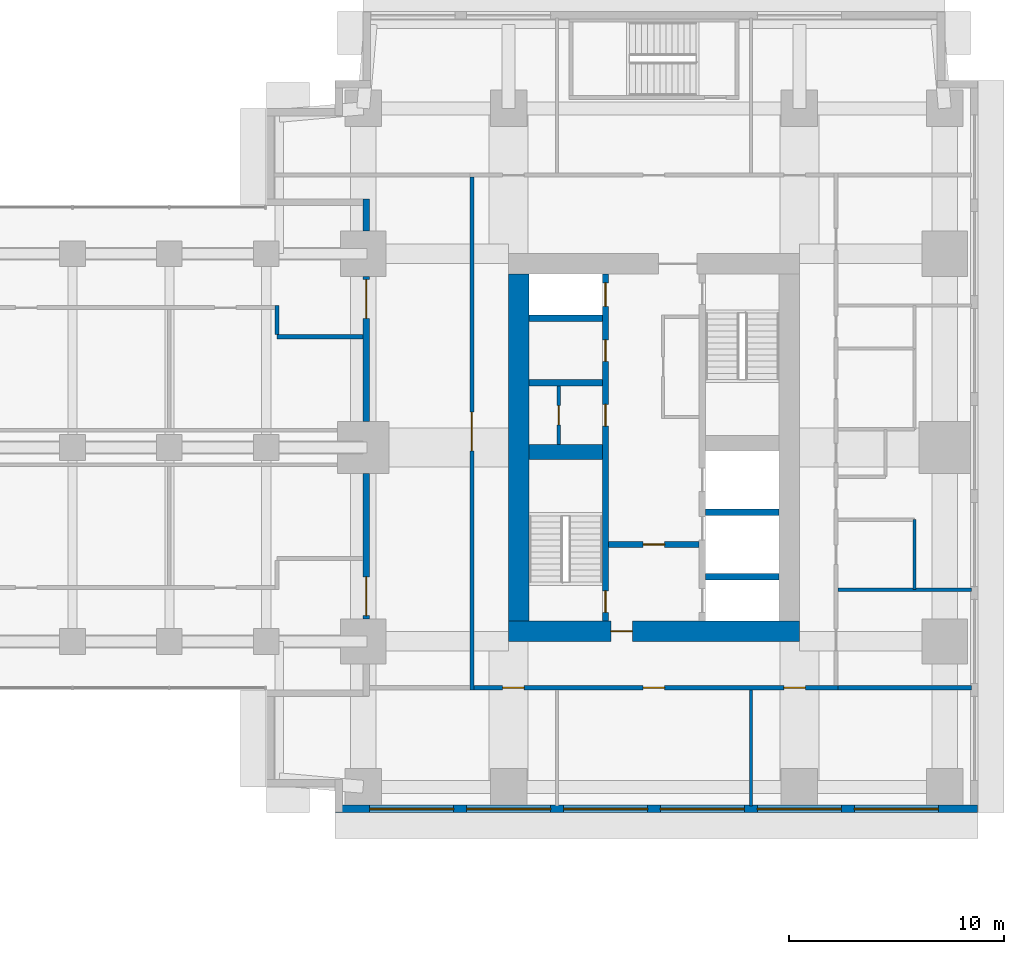
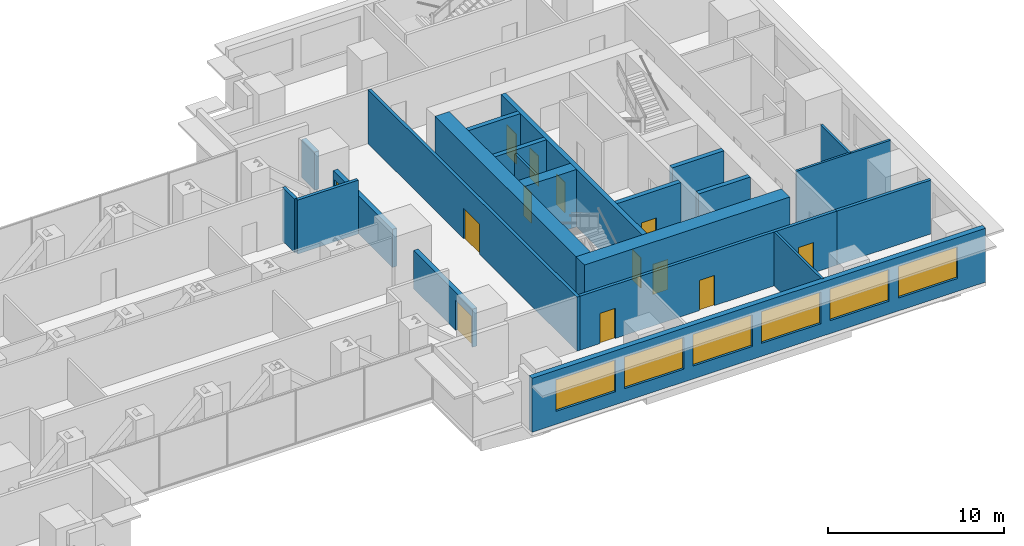
# One storey, part 10 of 16: 22 walls, 13 doors, 6 windows, 19 openings.
"""IFC4 building model written with IfcOpenShell, lengths in metres."""

from ifc_helpers import new_model, si_unit, direction, frame, frame_2d, origin, place, context, subcontext, project, spatial, rectangle, extrude, material, layer, layer_set, type_object, element, fill, save


model = new_model("IFC4")

# Units and contexts
model_context = context("Model", 3, precision=1e-05, world=origin(), true_north=direction((0.0, 1.0)))
body_context = subcontext(model_context, "Body", "Model", "MODEL_VIEW")
ifc_project = project(units=[si_unit("LENGTHUNIT", "METRE"), si_unit("AREAUNIT", "SQUARE_METRE"), si_unit("VOLUMEUNIT", "CUBIC_METRE"), si_unit("PLANEANGLEUNIT", "RADIAN"), si_unit("MASSUNIT", "GRAM", prefix="KILO")], contexts=[model_context])

# Site, building, storey
site_placement = place(None, origin())
site = spatial("IfcSite", under=ifc_project, at=site_placement, CompositionType="ELEMENT")
building_placement = place(site_placement, origin())
building = spatial("IfcBuilding", under=site, at=building_placement, Name="Namib Vertical Campus", CompositionType="ELEMENT")
storey_placement = place(building_placement, frame((0.0, 0.0, 113.0)))
storey = spatial("IfcBuildingStorey", under=building, at=storey_placement, Name="L26", CompositionType="ELEMENT", Elevation=113.0)

# Wall, openings, doors
ifc_material_1 = material(Name="Concrete C60/75", Category="concrete")
ifc_layer_1 = layer(ifc_material_1, 0.300048828125)
ifc_layer_set_1 = layer_set([ifc_layer_1], Name="Concrete C60/75")
wall_type_1 = type_object("IfcWallType", Name="Core inner wall 300", PredefinedType="SHEAR", material=ifc_layer_set_1)
wall_1_placement = place(storey_placement, frame((78.75, 12.199951171875, 0.0), z_axis=(0.0, 0.0, 1.0), x_axis=(0.0, 1.0, 0.0)))
wall_1 = element("IfcWall", 1, at=wall_1_placement, inside=storey, type_object=wall_type_1, Name="Core inner wall B L26 W1", PredefinedType="SHEAR", context=body_context, shape_type="SweptSolid", body=[
    extrude(rectangle(XDim=16.10009765625, YDim=0.300048828125, at=frame_2d((8.050048828125, 0.0))), origin(), (0.0, 0.0, 1.0), 4.0),
])
opening_1_placement = place(wall_1_placement, frame((0.39990234375, 0.0, 0.0)))
opening_1 = element("IfcOpeningElement", 2, at=opening_1_placement, cuts=wall_1, Name="Opening FD1", PredefinedType="OPENING", context=body_context, shape_type="SweptSolid", body=[
    extrude(rectangle(XDim=1.0, YDim=2.10009765625, at=frame_2d((0.5, 1.050048828125))), frame((0.0, 0.159912109375, 0.0), z_axis=(0.0, -1.0, 0.0), x_axis=(1.0, 0.0, 0.0)), (0.0, 0.0, 1.0), 0.320068359375),
])
opening_2_placement = place(wall_1_placement, frame((14.60009765625, 0.0, 0.0)))
opening_2 = element("IfcOpeningElement", 3, at=opening_2_placement, cuts=wall_1, Name="Opening LD1", PredefinedType="OPENING", context=body_context, shape_type="SweptSolid", body=[
    extrude(rectangle(XDim=1.10009765625, YDim=2.10009765625, at=frame_2d((0.550048828125, 1.050048828125))), frame((0.0, 0.159912109375, 0.0), z_axis=(0.0, -1.0, 0.0), x_axis=(1.0, 0.0, 0.0)), (0.0, 0.0, 1.0), 0.320068359375),
])
opening_3_placement = place(wall_1_placement, frame((9.050048828125, 0.0, 0.0)))
opening_3 = element("IfcOpeningElement", 4, at=opening_3_placement, cuts=wall_1, Name="Opening D1", PredefinedType="OPENING", context=body_context, shape_type="SweptSolid", body=[
    extrude(rectangle(XDim=1.0, YDim=2.10009765625, at=frame_2d((0.5, 1.050048828125))), frame((0.0, 0.159912109375, 0.0), z_axis=(0.0, -1.0, 0.0), x_axis=(1.0, 0.0, 0.0)), (0.0, 0.0, 1.0), 0.320068359375),
])
opening_4_placement = place(wall_1_placement, frame((12.050048828125, 0.0, 0.0)))
opening_4 = element("IfcOpeningElement", 5, at=opening_4_placement, cuts=wall_1, Name="Opening D1", PredefinedType="OPENING", context=body_context, shape_type="SweptSolid", body=[
    extrude(rectangle(XDim=1.0, YDim=2.10009765625, at=frame_2d((0.5, 1.050048828125))), frame((0.0, 0.159912109375, 0.0), z_axis=(0.0, -1.0, 0.0), x_axis=(1.0, 0.0, 0.0)), (0.0, 0.0, 1.0), 0.320068359375),
])
ifc_material_2 = material(Name="Timber door leaf", Category="wood")
door_type_1 = type_object("IfcDoorType", Name="Door single 1000x2100", OperationType="SINGLE_SWING_LEFT", PredefinedType="DOOR", material=ifc_material_2)
door_1_placement = place(opening_3_placement, origin())
door_1 = element("IfcDoor", 6, at=door_1_placement, inside=storey, type_object=door_type_1, Name="Door D1 Store B L26 P1", OperationType="SINGLE_SWING_LEFT", OverallHeight=2.10009765625, OverallWidth=1.0, PredefinedType="DOOR", context=body_context, shape_type="SweptSolid", body=[
    extrude(rectangle(XDim=1.0, YDim=2.10009765625, at=frame_2d((0.5, 1.050048828125))), frame((0.0, 0.02490234375, 0.0), z_axis=(0.0, -1.0, 0.0), x_axis=(1.0, 0.0, 0.0)), (0.0, 0.0, 1.0), 0.050048828125),
])
fill(opening_3, door_1)
door_2_placement = place(opening_4_placement, origin())
door_2 = element("IfcDoor", 7, at=door_2_placement, inside=storey, type_object=door_type_1, Name="Door D1 Cleaners' store B L26 P2", OperationType="SINGLE_SWING_LEFT", OverallHeight=2.10009765625, OverallWidth=1.0, PredefinedType="DOOR", context=body_context, shape_type="SweptSolid", body=[
    extrude(rectangle(XDim=1.0, YDim=2.10009765625, at=frame_2d((0.5, 1.050048828125))), frame((0.0, 0.02490234375, 0.0), z_axis=(0.0, -1.0, 0.0), x_axis=(1.0, 0.0, 0.0)), (0.0, 0.0, 1.0), 0.050048828125),
])
fill(opening_4, door_2)
ifc_material_3 = material(Name="Steel fire door", Category="steel")
door_type_2 = type_object("IfcDoorType", Name="Fire door 1000x2100", OperationType="SINGLE_SWING_RIGHT", PredefinedType="DOOR", material=ifc_material_3)
door_3_placement = place(opening_1_placement, origin())
door_3 = element("IfcDoor", 8, at=door_3_placement, inside=storey, type_object=door_type_2, Name="Stair door FD1 B L26 S1", OperationType="SINGLE_SWING_LEFT", OverallHeight=2.10009765625, OverallWidth=1.0, PredefinedType="DOOR", context=body_context, shape_type="SweptSolid", body=[
    extrude(rectangle(XDim=1.0, YDim=2.10009765625, at=frame_2d((0.5, 1.050048828125))), frame((0.0, 0.02490234375, 0.0), z_axis=(0.0, -1.0, 0.0), x_axis=(1.0, 0.0, 0.0)), (0.0, 0.0, 1.0), 0.050048828125),
])
fill(opening_1, door_3)
ifc_material_4 = material(Name="Stainless steel lift door", Category="steel")
door_type_3 = type_object("IfcDoorType", Name="Lift landing door 1100x2100", OperationType="DOUBLE_DOOR_SLIDING", PredefinedType="DOOR", material=ifc_material_4)
door_4_placement = place(opening_2_placement, origin())
door_4 = element("IfcDoor", 9, at=door_4_placement, inside=storey, type_object=door_type_3, Name="Lift landing door LD1 B-P3 L26", OperationType="DOUBLE_DOOR_SLIDING", OverallHeight=2.10009765625, OverallWidth=1.10009765625, PredefinedType="DOOR", context=body_context, shape_type="SweptSolid", body=[
    extrude(rectangle(XDim=1.10009765625, YDim=2.10009765625, at=frame_2d((0.550048828125, 1.050048828125))), frame((0.0, 0.02490234375, 0.0), z_axis=(0.0, -1.0, 0.0), x_axis=(1.0, 0.0, 0.0)), (0.0, 0.0, 1.0), 0.050048828125),
])
fill(opening_2, door_4)

# Wall, opening, door
wall_2_placement = place(storey_placement, frame((78.89990234375, 15.75, 0.0), z_axis=(0.0, 0.0, 1.0), x_axis=(1.0, 0.0, 0.0)))
wall_2 = element("IfcWall", 10, at=wall_2_placement, inside=storey, type_object=wall_type_1, Name="Core inner wall B L26 W4", PredefinedType="SHEAR", context=body_context, shape_type="SweptSolid", body=[
    extrude(rectangle(XDim=4.2001953125, YDim=0.300048828125, at=frame_2d((2.10009765625, 0.0))), origin(), (0.0, 0.0, 1.0), 4.0),
])
opening_5_placement = place(wall_2_placement, frame((1.60009765625, 0.0, 0.0)))
opening_5 = element("IfcOpeningElement", 11, at=opening_5_placement, cuts=wall_2, Name="Opening FD5", PredefinedType="OPENING", context=body_context, shape_type="SweptSolid", body=[
    extrude(rectangle(XDim=1.0, YDim=2.10009765625, at=frame_2d((0.5, 1.050048828125))), frame((0.0, 0.159912109375, 0.0), z_axis=(0.0, -1.0, 0.0), x_axis=(1.0, 0.0, 0.0)), (0.0, 0.0, 1.0), 0.320068359375),
])
ifc_material_5 = material(Name="Steel fire door", Category="steel")
door_type_4 = type_object("IfcDoorType", Name="Fire door 1000x2100 120 min", OperationType="SINGLE_SWING_RIGHT", PredefinedType="DOOR", material=ifc_material_5)
door_5_placement = place(opening_5_placement, frame((1.0, 0.0, 0.0), z_axis=(0.0, 0.0, 1.0), x_axis=(-1.0, 0.0, 0.0)))
door_5 = element("IfcDoor", 12, at=door_5_placement, inside=storey, type_object=door_type_4, Name="Lobby door FD5 B L26", OperationType="SINGLE_SWING_RIGHT", OverallHeight=2.10009765625, OverallWidth=1.0, PredefinedType="DOOR", context=body_context, shape_type="SweptSolid", body=[
    extrude(rectangle(XDim=1.0, YDim=2.10009765625, at=frame_2d((0.5, 1.050048828125))), frame((0.0, 0.02490234375, 0.0), z_axis=(0.0, -1.0, 0.0), x_axis=(1.0, 0.0, 0.0)), (0.0, 0.0, 1.0), 0.050048828125),
])
fill(opening_5, door_5)

# Walls
for number, where, z_axis, x_axis, name in (
    (13, (83.39990234375, 14.25, 0.0), (0.0, 0.0, 1.0), (1.0, 0.0, 0.0), "Core inner wall B L26 W5"),
    (14, (83.39990234375, 17.25, 0.0), (0.0, 0.0, 1.0), (1.0, 0.0, 0.0), "Core inner wall B L26 W6"),
    (15, (75.199951171875, 23.25, 0.0), (0.0, 0.0, 1.0), (1.0, 0.0, 0.0), "Core inner wall B L26 W8"),
    (16, (75.199951171875, 26.25, 0.0), (0.0, 0.0, 1.0), (1.0, 0.0, 0.0), "Core inner wall B L26 W9"),
):
    element("IfcWall", number, at=place(storey_placement, frame(where, z_axis=z_axis, x_axis=x_axis)), inside=storey, type_object=wall_type_1, Name=name, PredefinedType="SHEAR", context=body_context, shape_type="SweptSolid", body=[
        extrude(rectangle(XDim=3.400146484375, YDim=0.300048828125, at=frame_2d((1.7001953125, 0.0))), origin(), (0.0, 0.0, 1.0), 4.0),
    ])
ifc_material_6 = material(Name="Concrete C60/75", Category="concrete")
ifc_layer_2 = layer(ifc_material_6, 0.699951171875)
ifc_layer_set_2 = layer_set([ifc_layer_2], Name="Concrete C60/75")
wall_type_2 = type_object("IfcWallType", Name="Core shear wall 700", PredefinedType="SHEAR", material=ifc_layer_set_2)
wall_3_placement = place(storey_placement, frame((75.199951171875, 20.050048828125, 0.0), z_axis=(0.0, 0.0, 1.0), x_axis=(1.0, 0.0, 0.0)))
element("IfcWall", 17, at=wall_3_placement, inside=storey, type_object=wall_type_2, Name="Core shear wall B L26 W3", PredefinedType="SHEAR", context=body_context, shape_type="SweptSolid", body=[
    extrude(rectangle(XDim=3.400146484375, YDim=0.699951171875, at=frame_2d((1.7001953125, 0.0))), origin(), (0.0, 0.0, 1.0), 4.0),
])

# Wall, opening, door
ifc_material_7 = material(Name="Concrete C60/75", Category="concrete")
ifc_layer_3 = layer(ifc_material_7, 0.949951171875)
ifc_layer_set_3 = layer_set([ifc_layer_3], Name="Concrete C60/75")
wall_type_3 = type_object("IfcWallType", Name="Core wall 950", PredefinedType="SHEAR", material=ifc_layer_set_3)
wall_4_placement = place(storey_placement, frame((74.25, 11.72509765625, 0.0), z_axis=(0.0, 0.0, 1.0), x_axis=(1.0, 0.0, 0.0)))
wall_4 = element("IfcWall", 18, at=wall_4_placement, inside=storey, type_object=wall_type_3, Name="Core wall B L26 1", PredefinedType="SHEAR", context=body_context, shape_type="SweptSolid", body=[
    extrude(rectangle(XDim=13.5, YDim=0.949951171875, at=frame_2d((6.75, 0.0))), origin(), (0.0, 0.0, 1.0), 4.0),
])
opening_6_placement = place(wall_4_placement, frame((4.75, 0.0, 0.0)))
opening_6 = element("IfcOpeningElement", 19, at=opening_6_placement, cuts=wall_4, Name="Opening FD5", PredefinedType="OPENING", context=body_context, shape_type="SweptSolid", body=[
    extrude(rectangle(XDim=1.0, YDim=2.10009765625, at=frame_2d((0.5, 1.050048828125))), frame((0.0, 0.48486328125, 0.0), z_axis=(0.0, -1.0, 0.0), x_axis=(1.0, 0.0, 0.0)), (0.0, 0.0, 1.0), 0.969970703125),
])
door_6_placement = place(opening_6_placement, origin())
door_6 = element("IfcDoor", 20, at=door_6_placement, inside=storey, type_object=door_type_4, Name="Firefighting lobby door FD5 B L26", OperationType="SINGLE_SWING_LEFT", OverallHeight=2.10009765625, OverallWidth=1.0, PredefinedType="DOOR", context=body_context, shape_type="SweptSolid", body=[
    extrude(rectangle(XDim=1.0, YDim=2.10009765625, at=frame_2d((0.5, 1.050048828125))), frame((0.0, 0.02490234375, 0.0), z_axis=(0.0, -1.0, 0.0), x_axis=(1.0, 0.0, 0.0)), (0.0, 0.0, 1.0), 0.050048828125),
])
fill(opening_6, door_6)

# Wall
wall_5_placement = place(storey_placement, frame((74.72509765625, 28.300048828125, 0.0), z_axis=(0.0, 0.0, 1.0), x_axis=(0.0, -1.0, 0.0)))
element("IfcWall", 21, at=wall_5_placement, inside=storey, type_object=wall_type_3, Name="Core wall B L26 4", PredefinedType="SHEAR", context=body_context, shape_type="SweptSolid", body=[
    extrude(rectangle(XDim=16.10009765625, YDim=0.949951171875, at=frame_2d((8.050048828125, 0.0))), origin(), (0.0, 0.0, 1.0), 4.0),
])

# Wall, openings, doors
ifc_material_8 = material(Name="Concrete masonry", Category="masonry")
ifc_layer_4 = layer(ifc_material_8, 0.199951171875)
ifc_layer_set_4 = layer_set([ifc_layer_4], Name="Corridor wall 200")
wall_type_4 = type_object("IfcWallType", Name="Corridor wall 200", PredefinedType="SOLIDWALL", material=ifc_layer_set_4)
wall_6_placement = place(storey_placement, frame((72.64990234375, 9.10009765625, 0.0), z_axis=(0.0, 0.0, 1.0), x_axis=(1.0, 0.0, 0.0)))
wall_6 = element("IfcWall", 22, at=wall_6_placement, inside=storey, type_object=wall_type_4, Name="Corridor wall B L26 CS", PredefinedType="SOLIDWALL", context=body_context, shape_type="SweptSolid", body=[
    extrude(rectangle(XDim=16.900146484375, YDim=0.199951171875, at=frame_2d((8.4501953125, 0.0))), origin(), (0.0, 0.0, 1.0), 3.75),
])
opening_7_placement = place(wall_6_placement, frame((1.324951171875, 0.0, 0.0)))
opening_7 = element("IfcOpeningElement", 23, at=opening_7_placement, cuts=wall_6, Name="Opening CD1", PredefinedType="OPENING", context=body_context, shape_type="SweptSolid", body=[
    extrude(rectangle(XDim=1.0, YDim=2.10009765625, at=frame_2d((0.5, 1.050048828125))), frame((0.0, 0.10986328125, 0.0), z_axis=(0.0, -1.0, 0.0), x_axis=(1.0, 0.0, 0.0)), (0.0, 0.0, 1.0), 0.219970703125),
])
opening_8_placement = place(wall_6_placement, frame((7.85009765625, 0.0, 0.0)))
opening_8 = element("IfcOpeningElement", 24, at=opening_8_placement, cuts=wall_6, Name="Opening CD1", PredefinedType="OPENING", context=body_context, shape_type="SweptSolid", body=[
    extrude(rectangle(XDim=1.0, YDim=2.10009765625, at=frame_2d((0.5, 1.050048828125))), frame((0.0, 0.10986328125, 0.0), z_axis=(0.0, -1.0, 0.0), x_axis=(1.0, 0.0, 0.0)), (0.0, 0.0, 1.0), 0.219970703125),
])
opening_9_placement = place(wall_6_placement, frame((14.375, 0.0, 0.0)))
opening_9 = element("IfcOpeningElement", 25, at=opening_9_placement, cuts=wall_6, Name="Opening CD1", PredefinedType="OPENING", context=body_context, shape_type="SweptSolid", body=[
    extrude(rectangle(XDim=1.0, YDim=2.10009765625, at=frame_2d((0.5, 1.050048828125))), frame((0.0, 0.10986328125, 0.0), z_axis=(0.0, -1.0, 0.0), x_axis=(1.0, 0.0, 0.0)), (0.0, 0.0, 1.0), 0.219970703125),
])
ifc_material_9 = material(Name="Timber fire door leaf", Category="wood")
door_type_5 = type_object("IfcDoorType", Name="Corridor door 1000x2100 20 min", OperationType="SINGLE_SWING_LEFT", PredefinedType="DOOR", material=ifc_material_9)
door_7_placement = place(opening_7_placement, frame((1.0, 0.0, 0.0), z_axis=(0.0, 0.0, 1.0), x_axis=(-1.0, 0.0, 0.0)))
door_7 = element("IfcDoor", 26, at=door_7_placement, inside=storey, type_object=door_type_5, Name="Door CD1 B26-01", OperationType="SINGLE_SWING_LEFT", OverallHeight=2.10009765625, OverallWidth=1.0, PredefinedType="DOOR", context=body_context, shape_type="SweptSolid", body=[
    extrude(rectangle(XDim=1.0, YDim=2.10009765625, at=frame_2d((0.5, 1.050048828125))), frame((0.0, 0.02490234375, 0.0), z_axis=(0.0, -1.0, 0.0), x_axis=(1.0, 0.0, 0.0)), (0.0, 0.0, 1.0), 0.050048828125),
])
fill(opening_7, door_7)
door_8_placement = place(opening_8_placement, frame((1.0, 0.0, 0.0), z_axis=(0.0, 0.0, 1.0), x_axis=(-1.0, 0.0, 0.0)))
door_8 = element("IfcDoor", 27, at=door_8_placement, inside=storey, type_object=door_type_5, Name="Door CD1 B26-02", OperationType="SINGLE_SWING_RIGHT", OverallHeight=2.10009765625, OverallWidth=1.0, PredefinedType="DOOR", context=body_context, shape_type="SweptSolid", body=[
    extrude(rectangle(XDim=1.0, YDim=2.10009765625, at=frame_2d((0.5, 1.050048828125))), frame((0.0, 0.02490234375, 0.0), z_axis=(0.0, -1.0, 0.0), x_axis=(1.0, 0.0, 0.0)), (0.0, 0.0, 1.0), 0.050048828125),
])
fill(opening_8, door_8)
door_9_placement = place(opening_9_placement, frame((1.0, 0.0, 0.0), z_axis=(0.0, 0.0, 1.0), x_axis=(-1.0, 0.0, 0.0)))
door_9 = element("IfcDoor", 28, at=door_9_placement, inside=storey, type_object=door_type_5, Name="Door CD1 B26-03", OperationType="SINGLE_SWING_RIGHT", OverallHeight=2.10009765625, OverallWidth=1.0, PredefinedType="DOOR", context=body_context, shape_type="SweptSolid", body=[
    extrude(rectangle(XDim=1.0, YDim=2.10009765625, at=frame_2d((0.5, 1.050048828125))), frame((0.0, 0.02490234375, 0.0), z_axis=(0.0, -1.0, 0.0), x_axis=(1.0, 0.0, 0.0)), (0.0, 0.0, 1.0), 0.050048828125),
])
fill(opening_9, door_9)

# Wall, opening, door
wall_7_placement = place(storey_placement, frame((72.550048828125, 32.800048828125, 0.0), z_axis=(0.0, 0.0, 1.0), x_axis=(0.0, -1.0, 0.0)))
wall_7 = element("IfcWall", 29, at=wall_7_placement, inside=storey, type_object=wall_type_4, Name="Corridor wall B L26 CW", PredefinedType="SOLIDWALL", context=body_context, shape_type="SweptSolid", body=[
    extrude(rectangle(XDim=23.800048828125, YDim=0.199951171875, at=frame_2d((11.89990234375, 0.0))), origin(), (0.0, 0.0, 1.0), 3.75),
])
opening_10_placement = place(wall_7_placement, frame((10.89990234375, 0.0, 0.0)))
opening_10 = element("IfcOpeningElement", 30, at=opening_10_placement, cuts=wall_7, Name="Opening FD2", PredefinedType="OPENING", context=body_context, shape_type="SweptSolid", body=[
    extrude(rectangle(XDim=1.800048828125, YDim=2.10009765625, at=frame_2d((0.89990234375, 1.050048828125))), frame((0.0, 0.10986328125, 0.0), z_axis=(0.0, -1.0, 0.0), x_axis=(1.0, 0.0, 0.0)), (0.0, 0.0, 1.0), 0.219970703125),
])
ifc_material_10 = material(Name="Steel fire door", Category="steel")
door_type_6 = type_object("IfcDoorType", Name="Fire door double 1800x2100", OperationType="DOUBLE_DOOR_SINGLE_SWING", PredefinedType="DOOR", material=ifc_material_10)
door_10_placement = place(opening_10_placement, origin())
door_10 = element("IfcDoor", 31, at=door_10_placement, inside=storey, type_object=door_type_6, Name="Door FD2 B26-14", OperationType="DOUBLE_DOOR_SINGLE_SWING", OverallHeight=2.10009765625, OverallWidth=1.800048828125, PredefinedType="DOOR", context=body_context, shape_type="SweptSolid", body=[
    extrude(rectangle(XDim=1.800048828125, YDim=2.10009765625, at=frame_2d((0.89990234375, 1.050048828125))), frame((0.0, 0.02490234375, 0.0), z_axis=(0.0, -1.0, 0.0), x_axis=(1.0, 0.0, 0.0)), (0.0, 0.0, 1.0), 0.050048828125),
])
fill(opening_10, door_10)

# Walls
wall_8_placement = place(storey_placement, frame((89.550048828125, 9.10009765625, 0.0), z_axis=(0.0, 0.0, 1.0), x_axis=(1.0, 0.0, 0.0)))
element("IfcWall", 32, at=wall_8_placement, inside=storey, type_object=wall_type_4, Name="Partition B L26 BSE", PredefinedType="SOLIDWALL", context=body_context, shape_type="SweptSolid", body=[
    extrude(rectangle(XDim=6.199951171875, YDim=0.199951171875, at=frame_2d((3.10009765625, 0.0))), origin(), (0.0, 0.0, 1.0), 3.75),
])
wall_9_placement = place(storey_placement, frame((63.5, 25.39990234375, 0.0), z_axis=(0.0, 0.0, 1.0), x_axis=(1.0, 0.0, 0.0)))
element("IfcWall", 33, at=wall_9_placement, inside=storey, type_object=wall_type_4, Name="Lobby wall L26 NE", PredefinedType="SOLIDWALL", context=body_context, shape_type="SweptSolid", body=[
    extrude(rectangle(XDim=4.0, YDim=0.199951171875, at=frame_2d((2.0, 0.0))), origin(), (0.0, 0.0, 1.0), 3.75),
])
wall_10_placement = place(storey_placement, frame((63.5, 26.85009765625, 0.0), z_axis=(0.0, 0.0, 1.0), x_axis=(0.0, -1.0, 0.0)))
element("IfcWall", 34, at=wall_10_placement, inside=storey, type_object=wall_type_4, Name="Lobby side wall L26 NE", PredefinedType="SOLIDWALL", context=body_context, shape_type="SweptSolid", body=[
    extrude(rectangle(XDim=1.35009765625, YDim=0.199951171875, at=frame_2d((0.675048828125, 0.0))), origin(), (0.0, 0.0, 1.0), 3.75),
])

# Wall, openings, windows
ifc_material_11 = material(Name="Concrete C40/50", Category="concrete")
ifc_layer_5 = layer(ifc_material_11, 0.35009765625)
ifc_layer_set_5 = layer_set([ifc_layer_5], Name="Concrete C40/50")
wall_type_5 = type_object("IfcWallType", Name="External wall 350 bush-hammered concrete", PredefinedType="STANDARD", material=ifc_layer_set_5)
wall_11_placement = place(storey_placement, frame((66.219970703125, 3.47509765625, 0.0), z_axis=(0.0, 0.0, 1.0), x_axis=(1.0, 0.0, 0.0)))
wall_11 = element("IfcWall", 35, at=wall_11_placement, inside=storey, type_object=wall_type_5, Name="External wall L26 F04", PredefinedType="STANDARD", context=body_context, shape_type="SweptSolid", body=[
    extrude(rectangle(XDim=29.81005859375, YDim=0.35009765625, at=frame_2d((14.905029296875, 0.0))), origin(), (0.0, 0.0, 1.0), 3.75),
])
opening_11_placement = place(wall_11_placement, frame((1.580078125, 0.0, 0.89990234375)))
opening_11 = element("IfcOpeningElement", 36, at=opening_11_placement, cuts=wall_11, Name="Opening W1", PredefinedType="OPENING", context=body_context, shape_type="SweptSolid", body=[
    extrude(rectangle(XDim=3.89990234375, YDim=2.199951171875, at=frame_2d((1.949951171875, 1.10009765625))), frame((0.0, 0.18505859375, 0.0), z_axis=(0.0, -1.0, 0.0), x_axis=(1.0, 0.0, 0.0)), (0.0, 0.0, 1.0), 0.3701171875),
])
opening_12_placement = place(wall_11_placement, frame((6.080078125, 0.0, 0.89990234375)))
opening_12 = element("IfcOpeningElement", 37, at=opening_12_placement, cuts=wall_11, Name="Opening W1", PredefinedType="OPENING", context=body_context, shape_type="SweptSolid", body=[
    extrude(rectangle(XDim=3.89990234375, YDim=2.199951171875, at=frame_2d((1.949951171875, 1.10009765625))), frame((0.0, 0.18505859375, 0.0), z_axis=(0.0, -1.0, 0.0), x_axis=(1.0, 0.0, 0.0)), (0.0, 0.0, 1.0), 0.3701171875),
])
opening_13_placement = place(wall_11_placement, frame((10.580078125, 0.0, 0.89990234375)))
opening_13 = element("IfcOpeningElement", 38, at=opening_13_placement, cuts=wall_11, Name="Opening W1", PredefinedType="OPENING", context=body_context, shape_type="SweptSolid", body=[
    extrude(rectangle(XDim=3.89990234375, YDim=2.199951171875, at=frame_2d((1.949951171875, 1.10009765625))), frame((0.0, 0.18505859375, 0.0), z_axis=(0.0, -1.0, 0.0), x_axis=(1.0, 0.0, 0.0)), (0.0, 0.0, 1.0), 0.3701171875),
])
opening_14_placement = place(wall_11_placement, frame((15.080078125, 0.0, 0.89990234375)))
opening_14 = element("IfcOpeningElement", 39, at=opening_14_placement, cuts=wall_11, Name="Opening W1", PredefinedType="OPENING", context=body_context, shape_type="SweptSolid", body=[
    extrude(rectangle(XDim=3.89990234375, YDim=2.199951171875, at=frame_2d((1.949951171875, 1.10009765625))), frame((0.0, 0.18505859375, 0.0), z_axis=(0.0, -1.0, 0.0), x_axis=(1.0, 0.0, 0.0)), (0.0, 0.0, 1.0), 0.3701171875),
])
opening_15_placement = place(wall_11_placement, frame((19.580078125, 0.0, 0.89990234375)))
opening_15 = element("IfcOpeningElement", 40, at=opening_15_placement, cuts=wall_11, Name="Opening W1", PredefinedType="OPENING", context=body_context, shape_type="SweptSolid", body=[
    extrude(rectangle(XDim=3.89990234375, YDim=2.199951171875, at=frame_2d((1.949951171875, 1.10009765625))), frame((0.0, 0.18505859375, 0.0), z_axis=(0.0, -1.0, 0.0), x_axis=(1.0, 0.0, 0.0)), (0.0, 0.0, 1.0), 0.3701171875),
])
opening_16_placement = place(wall_11_placement, frame((24.080078125, 0.0, 0.89990234375)))
opening_16 = element("IfcOpeningElement", 41, at=opening_16_placement, cuts=wall_11, Name="Opening W1", PredefinedType="OPENING", context=body_context, shape_type="SweptSolid", body=[
    extrude(rectangle(XDim=3.89990234375, YDim=2.199951171875, at=frame_2d((1.949951171875, 1.10009765625))), frame((0.0, 0.18505859375, 0.0), z_axis=(0.0, -1.0, 0.0), x_axis=(1.0, 0.0, 0.0)), (0.0, 0.0, 1.0), 0.3701171875),
])
ifc_material_12 = material(Name="Dark tinted glass in black aluminium frame", Category="aluminium")
window_type = type_object("IfcWindowType", Name="Ribbon window 3900x2200", PartitioningType="SINGLE_PANEL", PredefinedType="WINDOW", material=ifc_material_12)
window_1_placement = place(opening_11_placement, origin())
window_1 = element("IfcWindow", 42, at=window_1_placement, inside=storey, type_object=window_type, Name="Window W1 L26 F04-1", OverallHeight=2.199951171875, OverallWidth=3.89990234375, PartitioningType="SINGLE_PANEL", PredefinedType="WINDOW", context=body_context, shape_type="SweptSolid", body=[
    extrude(rectangle(XDim=3.89990234375, YDim=2.199951171875, at=frame_2d((1.949951171875, 1.10009765625))), frame((0.0, 0.030029296875, 0.0), z_axis=(0.0, -1.0, 0.0), x_axis=(1.0, 0.0, 0.0)), (0.0, 0.0, 1.0), 0.06005859375),
])
fill(opening_11, window_1)
window_2_placement = place(opening_12_placement, origin())
window_2 = element("IfcWindow", 43, at=window_2_placement, inside=storey, type_object=window_type, Name="Window W1 L26 F04-2", OverallHeight=2.199951171875, OverallWidth=3.89990234375, PartitioningType="SINGLE_PANEL", PredefinedType="WINDOW", context=body_context, shape_type="SweptSolid", body=[
    extrude(rectangle(XDim=3.89990234375, YDim=2.199951171875, at=frame_2d((1.949951171875, 1.10009765625))), frame((0.0, 0.030029296875, 0.0), z_axis=(0.0, -1.0, 0.0), x_axis=(1.0, 0.0, 0.0)), (0.0, 0.0, 1.0), 0.06005859375),
])
fill(opening_12, window_2)
window_3_placement = place(opening_13_placement, origin())
window_3 = element("IfcWindow", 44, at=window_3_placement, inside=storey, type_object=window_type, Name="Window W1 L26 F04-3", OverallHeight=2.199951171875, OverallWidth=3.89990234375, PartitioningType="SINGLE_PANEL", PredefinedType="WINDOW", context=body_context, shape_type="SweptSolid", body=[
    extrude(rectangle(XDim=3.89990234375, YDim=2.199951171875, at=frame_2d((1.949951171875, 1.10009765625))), frame((0.0, 0.030029296875, 0.0), z_axis=(0.0, -1.0, 0.0), x_axis=(1.0, 0.0, 0.0)), (0.0, 0.0, 1.0), 0.06005859375),
])
fill(opening_13, window_3)
window_4_placement = place(opening_14_placement, origin())
window_4 = element("IfcWindow", 45, at=window_4_placement, inside=storey, type_object=window_type, Name="Window W1 L26 F04-4", OverallHeight=2.199951171875, OverallWidth=3.89990234375, PartitioningType="SINGLE_PANEL", PredefinedType="WINDOW", context=body_context, shape_type="SweptSolid", body=[
    extrude(rectangle(XDim=3.89990234375, YDim=2.199951171875, at=frame_2d((1.949951171875, 1.10009765625))), frame((0.0, 0.030029296875, 0.0), z_axis=(0.0, -1.0, 0.0), x_axis=(1.0, 0.0, 0.0)), (0.0, 0.0, 1.0), 0.06005859375),
])
fill(opening_14, window_4)
window_5_placement = place(opening_15_placement, origin())
window_5 = element("IfcWindow", 46, at=window_5_placement, inside=storey, type_object=window_type, Name="Window W1 L26 F04-5", OverallHeight=2.199951171875, OverallWidth=3.89990234375, PartitioningType="SINGLE_PANEL", PredefinedType="WINDOW", context=body_context, shape_type="SweptSolid", body=[
    extrude(rectangle(XDim=3.89990234375, YDim=2.199951171875, at=frame_2d((1.949951171875, 1.10009765625))), frame((0.0, 0.030029296875, 0.0), z_axis=(0.0, -1.0, 0.0), x_axis=(1.0, 0.0, 0.0)), (0.0, 0.0, 1.0), 0.06005859375),
])
fill(opening_15, window_5)
window_6_placement = place(opening_16_placement, origin())
window_6 = element("IfcWindow", 47, at=window_6_placement, inside=storey, type_object=window_type, Name="Window W1 L26 F04-6", OverallHeight=2.199951171875, OverallWidth=3.89990234375, PartitioningType="SINGLE_PANEL", PredefinedType="WINDOW", context=body_context, shape_type="SweptSolid", body=[
    extrude(rectangle(XDim=3.89990234375, YDim=2.199951171875, at=frame_2d((1.949951171875, 1.10009765625))), frame((0.0, 0.030029296875, 0.0), z_axis=(0.0, -1.0, 0.0), x_axis=(1.0, 0.0, 0.0)), (0.0, 0.0, 1.0), 0.06005859375),
])
fill(opening_16, window_6)

# Wall
ifc_material_13 = material(Name="Concrete masonry", Category="masonry")
ifc_layer_6 = layer(ifc_material_13, 0.300048828125)
ifc_layer_set_6 = layer_set([ifc_layer_6], Name="Fire wall 300")
wall_type_6 = type_object("IfcWallType", Name="Fire wall 300", PredefinedType="SOLIDWALL", material=ifc_layer_set_6)
wall_12_placement = place(storey_placement, frame((67.64990234375, 31.780029296875, 0.0), z_axis=(0.0, 0.0, 1.0), x_axis=(0.0, -1.0, 0.0)))
element("IfcWall", 48, at=wall_12_placement, inside=storey, type_object=wall_type_6, Name="External wall L26 F15", PredefinedType="SOLIDWALL", context=body_context, shape_type="SweptSolid", body=[
    extrude(rectangle(XDim=1.47998046875, YDim=0.300048828125, at=frame_2d((0.739990234375, 0.0))), origin(), (0.0, 0.0, 1.0), 2.64990234375),
])

# Wall, opening, door
wall_13_placement = place(storey_placement, frame((67.64990234375, 28.199951171875, 0.0), z_axis=(0.0, 0.0, 1.0), x_axis=(0.0, -1.0, 0.0)))
wall_13 = element("IfcWall", 49, at=wall_13_placement, inside=storey, type_object=wall_type_6, Name="External wall L26 F15", PredefinedType="SOLIDWALL", context=body_context, shape_type="SweptSolid", body=[
    extrude(rectangle(XDim=6.75, YDim=0.300048828125, at=frame_2d((3.375, 0.0))), origin(), (0.0, 0.0, 1.0), 2.64990234375),
])
opening_17_placement = place(wall_13_placement, frame((0.14990234375, 0.0, 0.0)))
opening_17 = element("IfcOpeningElement", 50, at=opening_17_placement, cuts=wall_13, Name="Opening FD4", PredefinedType="OPENING", context=body_context, shape_type="SweptSolid", body=[
    extrude(rectangle(XDim=1.800048828125, YDim=2.10009765625, at=frame_2d((0.89990234375, 1.050048828125))), frame((0.0, 0.159912109375, 0.0), z_axis=(0.0, -1.0, 0.0), x_axis=(1.0, 0.0, 0.0)), (0.0, 0.0, 1.0), 0.320068359375),
])
ifc_material_14 = material(Name="Steel fire door", Category="steel")
door_type_7 = type_object("IfcDoorType", Name="Fire door double 1800x2100 120 min", OperationType="DOUBLE_DOOR_SINGLE_SWING", PredefinedType="DOOR", material=ifc_material_14)
door_11_placement = place(opening_17_placement, origin())
door_11 = element("IfcDoor", 51, at=door_11_placement, inside=storey, type_object=door_type_7, Name="Bridge fire door FD4 B L26 north", OperationType="DOUBLE_DOOR_SINGLE_SWING", OverallHeight=2.10009765625, OverallWidth=1.800048828125, PredefinedType="DOOR", context=body_context, shape_type="SweptSolid", body=[
    extrude(rectangle(XDim=1.800048828125, YDim=2.10009765625, at=frame_2d((0.89990234375, 1.050048828125))), frame((0.0, 0.02490234375, 0.0), z_axis=(0.0, -1.0, 0.0), x_axis=(1.0, 0.0, 0.0)), (0.0, 0.0, 1.0), 0.050048828125),
])
fill(opening_17, door_11)

wall_14_placement = place(storey_placement, frame((67.64990234375, 19.050048828125, 0.0), z_axis=(0.0, 0.0, 1.0), x_axis=(0.0, -1.0, 0.0)))
wall_14 = element("IfcWall", 52, at=wall_14_placement, inside=storey, type_object=wall_type_6, Name="External wall L26 F15", PredefinedType="SOLIDWALL", context=body_context, shape_type="SweptSolid", body=[
    extrude(rectangle(XDim=6.75, YDim=0.300048828125, at=frame_2d((3.375, 0.0))), origin(), (0.0, 0.0, 1.0), 2.64990234375),
])
opening_18_placement = place(wall_14_placement, frame((4.800048828125, 0.0, 0.0)))
opening_18 = element("IfcOpeningElement", 53, at=opening_18_placement, cuts=wall_14, Name="Opening FD4", PredefinedType="OPENING", context=body_context, shape_type="SweptSolid", body=[
    extrude(rectangle(XDim=1.800048828125, YDim=2.10009765625, at=frame_2d((0.89990234375, 1.050048828125))), frame((0.0, 0.159912109375, 0.0), z_axis=(0.0, -1.0, 0.0), x_axis=(1.0, 0.0, 0.0)), (0.0, 0.0, 1.0), 0.320068359375),
])
door_12_placement = place(opening_18_placement, origin())
door_12 = element("IfcDoor", 54, at=door_12_placement, inside=storey, type_object=door_type_7, Name="Bridge fire door FD4 B L26", OperationType="DOUBLE_DOOR_SINGLE_SWING", OverallHeight=2.10009765625, OverallWidth=1.800048828125, PredefinedType="DOOR", context=body_context, shape_type="SweptSolid", body=[
    extrude(rectangle(XDim=1.800048828125, YDim=2.10009765625, at=frame_2d((0.89990234375, 1.050048828125))), frame((0.0, 0.02490234375, 0.0), z_axis=(0.0, -1.0, 0.0), x_axis=(1.0, 0.0, 0.0)), (0.0, 0.0, 1.0), 0.050048828125),
])
fill(opening_18, door_12)

ifc_material_15 = material(Name="Gypsum board on steel studs", Category="steel")
ifc_layer_7 = layer(ifc_material_15, 0.14990234375)
ifc_layer_set_7 = layer_set([ifc_layer_7], Name="Gypsum board on steel studs")
wall_type_7 = type_object("IfcWallType", Name="Partition 150", PredefinedType="PARTITIONING", material=ifc_layer_set_7)
wall_15_placement = place(storey_placement, frame((76.574951171875, 20.39990234375, 0.0), z_axis=(0.0, 0.0, 1.0), x_axis=(0.0, 1.0, 0.0)))
wall_15 = element("IfcWall", 55, at=wall_15_placement, inside=storey, type_object=wall_type_7, Name="Partition B L26 Store P1 back", PredefinedType="PARTITIONING", context=body_context, shape_type="SweptSolid", body=[
    extrude(rectangle(XDim=2.7001953125, YDim=0.14990234375, at=frame_2d((1.35009765625, 0.0))), origin(), (0.0, 0.0, 1.0), 3.75),
])
opening_19_placement = place(wall_15_placement, frame((0.89990234375, 0.0, 0.0)))
opening_19 = element("IfcOpeningElement", 56, at=opening_19_placement, cuts=wall_15, Name="Opening D3", PredefinedType="OPENING", context=body_context, shape_type="SweptSolid", body=[
    extrude(rectangle(XDim=0.89990234375, YDim=2.10009765625, at=frame_2d((0.449951171875, 1.050048828125))), frame((0.0, 0.0849609375, 0.0), z_axis=(0.0, -1.0, 0.0), x_axis=(1.0, 0.0, 0.0)), (0.0, 0.0, 1.0), 0.169921875),
])
ifc_material_16 = material(Name="Timber door leaf", Category="wood")
door_type_8 = type_object("IfcDoorType", Name="Toilet door 900x2100", OperationType="SINGLE_SWING_LEFT", PredefinedType="DOOR", material=ifc_material_16)
door_13_placement = place(opening_19_placement, origin())
door_13 = element("IfcDoor", 57, at=door_13_placement, inside=storey, type_object=door_type_8, Name="Door D3 Store B L26 P1", OperationType="SINGLE_SWING_LEFT", OverallHeight=2.10009765625, OverallWidth=0.89990234375, PredefinedType="DOOR", context=body_context, shape_type="SweptSolid", body=[
    extrude(rectangle(XDim=0.89990234375, YDim=2.10009765625, at=frame_2d((0.449951171875, 1.050048828125))), frame((0.0, 0.02490234375, 0.0), z_axis=(0.0, -1.0, 0.0), x_axis=(1.0, 0.0, 0.0)), (0.0, 0.0, 1.0), 0.050048828125),
])
fill(opening_19, door_13)

# Walls
wall_16_placement = place(storey_placement, frame((85.5, 3.60009765625, 0.0), z_axis=(0.0, 0.0, 1.0), x_axis=(0.0, 1.0, 0.0)))
element("IfcWall", 58, at=wall_16_placement, inside=storey, type_object=wall_type_7, Name="Partition B L26 PS2", PredefinedType="PARTITIONING", context=body_context, shape_type="SweptSolid", body=[
    extrude(rectangle(XDim=5.39990234375, YDim=0.14990234375, at=frame_2d((2.699951171875, 0.0))), origin(), (0.0, 0.0, 1.0), 3.75),
])
wall_17_placement = place(storey_placement, frame((89.550048828125, 13.64990234375, 0.0), z_axis=(0.0, 0.0, 1.0), x_axis=(1.0, 0.0, 0.0)))
element("IfcWall", 59, at=wall_17_placement, inside=storey, type_object=wall_type_7, Name="Partition B L26 PE1", PredefinedType="PARTITIONING", context=body_context, shape_type="SweptSolid", body=[
    extrude(rectangle(XDim=6.199951171875, YDim=0.14990234375, at=frame_2d((3.10009765625, 0.0))), origin(), (0.0, 0.0, 1.0), 3.75),
])
wall_18_placement = place(storey_placement, frame((93.10009765625, 13.64990234375, 0.0), z_axis=(0.0, 0.0, 1.0), x_axis=(0.0, 1.0, 0.0)))
element("IfcWall", 60, at=wall_18_placement, inside=storey, type_object=wall_type_7, Name="Partition B L26 WB1", PredefinedType="PARTITIONING", context=body_context, shape_type="SweptSolid", body=[
    extrude(rectangle(XDim=3.25, YDim=0.14990234375, at=frame_2d((1.625, 0.0))), origin(), (0.0, 0.0, 1.0), 3.75),
])

save(model, "model.ifc")
